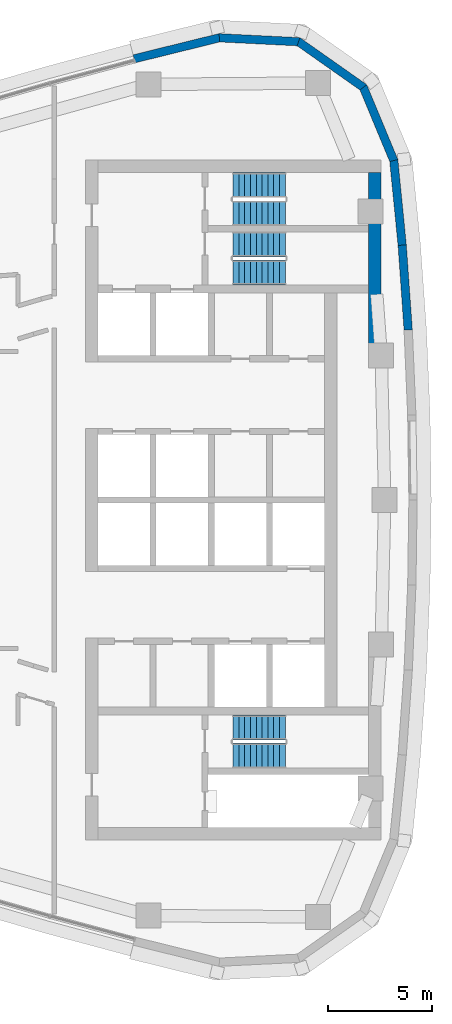
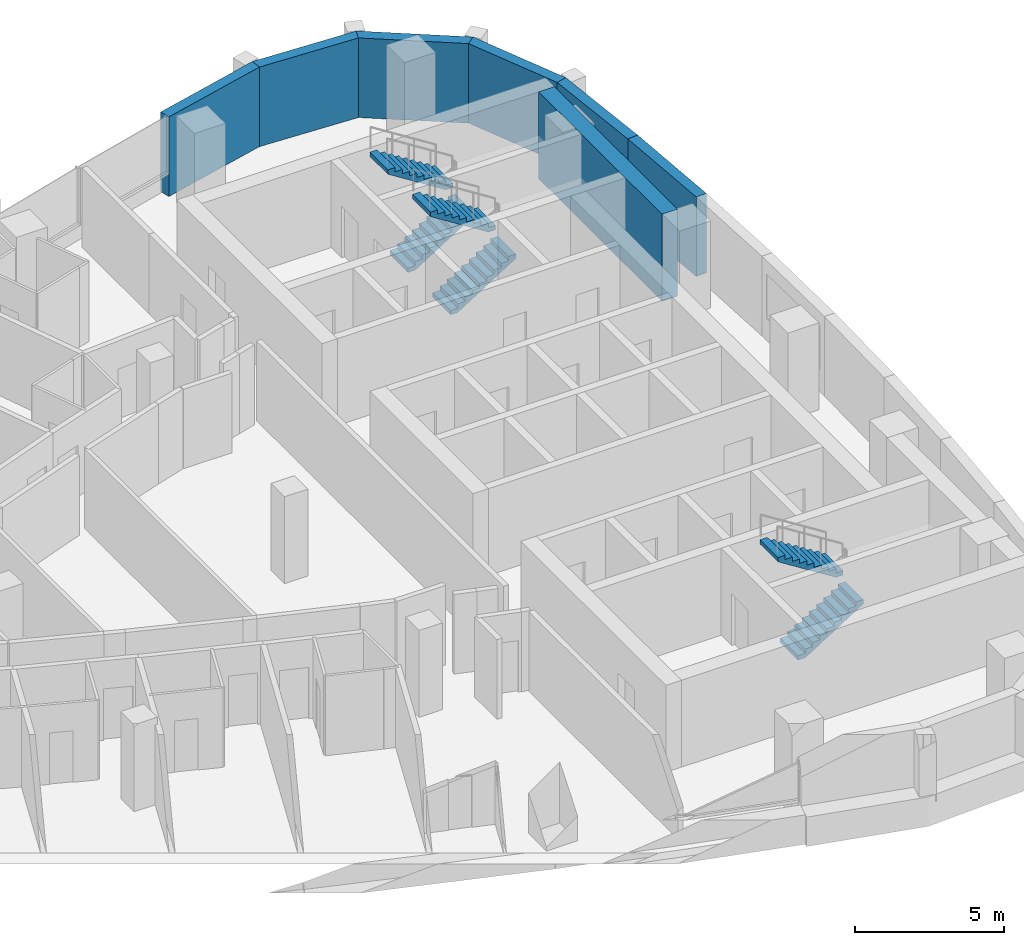
# One storey, part 12 of 16: 7 walls, 6 stair flights, 3 elements without a shape of their own.
"""IFC4 building model written with IfcOpenShell, lengths in metres."""

import ifcopenshell
import ifcopenshell.guid

model = None  # the IFC model being written
_history = None  # IfcOwnerHistory: only IFC2X3 demands one
_inside = {}  # id of a spatial element -> (the spatial element, [elements in it])
_under = {}  # id of a project, library or spatial element -> (it, [spatial elements below it])
_declared = {}  # id of a project -> (the project, [libraries it declares])
_typed = {}  # id of a type object -> (the type object, [elements of that type])
_made_of = {}  # id of a material, layer set ... -> (it, [elements and type objects made of it])


def new_model(schema):
    """Start an empty IFC model of exactly this schema.

    Asked for "IFC4X3", IfcOpenShell would pick the latest addendum, in which some entities
    have other attributes; the version numbers below select the first issue.
    IFC2X3 requires an IfcOwnerHistory on every rooted entity: one is made here for all.
    """
    global model, _history
    if schema == "IFC4X3":
        model = ifcopenshell.file(schema_version=(4, 3, 0, 0))
    else:
        model = ifcopenshell.file(schema=schema)
    _inside.clear()
    _under.clear()
    _declared.clear()
    _typed.clear()
    _made_of.clear()
    _history = None
    if model.schema == "IFC2X3":
        org = make("IfcOrganization", Name="unknown")
        user = make(
            "IfcPersonAndOrganization",
            ThePerson=make("IfcPerson", FamilyName="unknown"),
            TheOrganization=org,
        )
        app = make(
            "IfcApplication",
            ApplicationDeveloper=org,
            Version="unknown",
            ApplicationFullName="unknown",
            ApplicationIdentifier="unknown",
        )
        _history = make(
            "IfcOwnerHistory",
            OwningUser=user,
            OwningApplication=app,
            ChangeAction="ADDED",
            CreationDate=0,
        )
    return model


def make(cls, **values):
    """One entity of the class cls with the attributes given. An attribute that is None is left unset."""
    return model.create_entity(
        cls, **{name: value for name, value in values.items() if value is not None}
    )


def rooted(cls, **values):
    """An entity with a GlobalId (a new one), such as an element, a storey or a relation."""
    return make(cls, GlobalId=ifcopenshell.guid.new(), OwnerHistory=_history, **values)


def si_unit(unit_type, name, prefix=None):
    """IfcSIUnit, for example si_unit("LENGTHUNIT", "METRE", prefix="MILLI")."""
    return make("IfcSIUnit", UnitType=unit_type, Prefix=prefix, Name=name)


def assignment(units):
    """IfcUnitAssignment: the units of a project."""
    return None if units is None else make("IfcUnitAssignment", Units=units)


def point(xyz):
    """IfcCartesianPoint."""
    return None if xyz is None else make("IfcCartesianPoint", Coordinates=xyz)


def direction(xyz):
    """IfcDirection."""
    return None if xyz is None else make("IfcDirection", DirectionRatios=xyz)


def frame(location, z_axis=None, x_axis=None):
    """IfcAxis2Placement3D, a coordinate frame: its origin and axes. An axis left out is left unset."""
    return make(
        "IfcAxis2Placement3D",
        Location=point(location),
        Axis=direction(z_axis),
        RefDirection=direction(x_axis),
    )


def frame_2d(location, x_axis=None):
    """IfcAxis2Placement2D, a coordinate frame in the plane: its origin and x axis."""
    return make(
        "IfcAxis2Placement2D", Location=point(location), RefDirection=direction(x_axis)
    )


def origin():
    """The frame at (0, 0, 0) with its axes left unset."""
    return frame((0.0, 0.0, 0.0))


def place(relative_to, where):
    """IfcLocalPlacement: puts the frame where relative to a parent placement (None: the world)."""
    return make(
        "IfcLocalPlacement", PlacementRelTo=relative_to, RelativePlacement=where
    )


def context(
    kind, dimensions, precision=None, world=None, true_north=None, identifier=None
):
    """IfcGeometricRepresentationContext, for example the 3D "Model" context."""
    return make(
        "IfcGeometricRepresentationContext",
        ContextIdentifier=identifier,
        ContextType=kind,
        CoordinateSpaceDimension=dimensions,
        Precision=precision,
        WorldCoordinateSystem=world,
        TrueNorth=true_north,
    )


def subcontext(parent, identifier, kind, view, scale=None):
    """IfcGeometricRepresentationSubContext, for example "Body" below "Model"."""
    return make(
        "IfcGeometricRepresentationSubContext",
        ContextIdentifier=identifier,
        ContextType=kind,
        ParentContext=parent,
        TargetScale=scale,
        TargetView=view,
    )


def project(units=None, contexts=None):
    """IfcProject with its units and contexts."""
    return rooted(
        "IfcProject",
        Name="project",
        RepresentationContexts=contexts,
        UnitsInContext=assignment(units),
    )


def spatial(cls, under=None, at=None, **own):
    """A site, building, storey or space (cls), placed at a placement, below another one or the project."""
    s = rooted(cls, ObjectPlacement=at, **own)
    if under is not None:
        _under.setdefault(under.id(), (under, []))[1].append(s)
    return s


def polyline(points):
    """IfcPolyline through the points."""
    return make("IfcPolyline", Points=[point(p) for p in points])


def profile(cls, at=None, kind="AREA", **sizes):
    """A parametric profile (cls). Its sizes go by their IFC names, for example OverallWidth=200.0."""
    return make(cls, ProfileType=kind, Position=at, **sizes)


def rectangle(**sizes):
    """IfcRectangleProfileDef."""
    return profile("IfcRectangleProfileDef", **sizes)


def outline(outer, holes=None, kind="AREA"):
    """IfcArbitraryClosedProfileDef: a profile drawn as a closed curve; with holes, ...WithVoids."""
    if holes is None:
        return make("IfcArbitraryClosedProfileDef", ProfileType=kind, OuterCurve=outer)
    return make(
        "IfcArbitraryProfileDefWithVoids",
        ProfileType=kind,
        OuterCurve=outer,
        InnerCurves=holes,
    )


def extrude(swept, where, along, depth):
    """IfcExtrudedAreaSolid: the profile swept, set in the frame where, extruded along a direction by depth."""
    return make(
        "IfcExtrudedAreaSolid",
        SweptArea=swept,
        Position=where,
        ExtrudedDirection=direction(along),
        Depth=depth,
    )


def shape(context_of_items, identifier, shape_type, items):
    """IfcShapeRepresentation: the items that make up one representation, for example the "Body"."""
    return make(
        "IfcShapeRepresentation",
        ContextOfItems=context_of_items,
        RepresentationIdentifier=identifier,
        RepresentationType=shape_type,
        Items=items,
    )


def material(Name=None, Category=None):
    """IfcMaterial."""
    return make("IfcMaterial", Name=Name, Category=Category)


def layer(
    of_material, thickness, ventilated=None, Name=None, Category=None, Priority=None
):
    """IfcMaterialLayer: one layer of a wall or slab, of a material (None: an air gap)."""
    return make(
        "IfcMaterialLayer",
        Material=of_material,
        LayerThickness=thickness,
        IsVentilated=ventilated,
        Name=Name,
        Category=Category,
        Priority=Priority,
    )


def layer_set(layers, Name=None):
    """IfcMaterialLayerSet."""
    return make("IfcMaterialLayerSet", MaterialLayers=layers, LayerSetName=Name)


def made_of(thing, what):
    """Note that an element or type object is made of a material, layer set ...; save() writes the relation."""
    if what is not None:
        _made_of.setdefault(what.id(), (what, []))[1].append(thing)
    return thing


def type_object(cls, material=None, **own):
    """A type object (cls), such as IfcWallType, which elements share."""
    return made_of(rooted(cls, **own), material)


def element(
    cls,
    number,
    at=None,
    inside=None,
    cuts=None,
    type_object=None,
    material=None,
    context=None,
    identifier="Body",
    shape_type=None,
    held_by="IfcProductDefinitionShape",
    body=None,
    shapes=None,
    **own,
):
    """One element of the class cls, such as IfcWall. Its Tag is "e" and its number.

    at: its placement. inside: the storey or other place that contains it. cuts: it is an
    opening in that element (IfcRelVoidsElement). A single representation is given by context,
    identifier, shape_type and body (its items); several are given by shapes. held_by: the class
    of the entity that holds the representations. save() writes the other relations.
    """
    e = rooted(cls, Tag="e%d" % number, ObjectPlacement=at, **own)
    if body is not None:
        shapes = [shape(context, identifier, shape_type, body)]
    if shapes is not None:
        e.Representation = make(held_by, Representations=shapes)
    if inside is not None:
        _inside.setdefault(inside.id(), (inside, []))[1].append(e)
    if cuts is not None:
        rooted(
            "IfcRelVoidsElement", RelatingBuildingElement=cuts, RelatedOpeningElement=e
        )
    if type_object is not None:
        _typed.setdefault(type_object.id(), (type_object, []))[1].append(e)
    return made_of(e, material)


def aggregate(whole, parts):
    """IfcRelAggregates: a whole, such as a stair, and the parts it consists of."""
    return rooted("IfcRelAggregates", RelatingObject=whole, RelatedObjects=parts)


def save(model, path):
    """Write the relations noted so far, then the file.

    IfcRelAggregates (storeys below a building ...), IfcRelContainedInSpatialStructure (elements
    in a storey), IfcRelDefinesByType, IfcRelAssociatesMaterial and IfcRelDeclares: one each for
    every whole, place, type object, material and project.
    """
    for whole, parts in _under.values():
        aggregate(whole, parts)
    for where, things in _inside.values():
        rooted(
            "IfcRelContainedInSpatialStructure",
            RelatedElements=things,
            RelatingStructure=where,
        )
    for kind, things in _typed.values():
        rooted("IfcRelDefinesByType", RelatedObjects=things, RelatingType=kind)
    for what, things in _made_of.values():
        rooted("IfcRelAssociatesMaterial", RelatedObjects=things, RelatingMaterial=what)
    for by, libraries in _declared.values():
        rooted("IfcRelDeclares", RelatingContext=by, RelatedDefinitions=libraries)
    model.write(path)


model = new_model("IFC4")

# Units and contexts
model_context = context("Model", 3, precision=1e-05, world=origin(), true_north=direction((0.0, 1.0)))
body_context = subcontext(model_context, "Body", "Model", "MODEL_VIEW")
ifc_project = project(units=[si_unit("LENGTHUNIT", "METRE"), si_unit("AREAUNIT", "SQUARE_METRE"), si_unit("VOLUMEUNIT", "CUBIC_METRE"), si_unit("PLANEANGLEUNIT", "RADIAN"), si_unit("MASSUNIT", "GRAM", prefix="KILO")], contexts=[model_context])

# Site, building, storey
site_placement = place(None, origin())
site = spatial("IfcSite", under=ifc_project, at=site_placement, CompositionType="ELEMENT")
building_placement = place(site_placement, origin())
building = spatial("IfcBuilding", under=site, at=building_placement, Name="Ostrand Prow Hotel Tower", CompositionType="ELEMENT")
storey_placement = place(building_placement, frame((0.0, 0.0, 224.35009765625)))
storey = spatial("IfcBuildingStorey", under=building, at=storey_placement, Name="L56", CompositionType="ELEMENT", Elevation=224.35009765625)

# Walls
ifc_material_1 = material(Name="Concrete C50/60", Category="concrete")
ifc_layer_1 = layer(ifc_material_1, 0.60009765625)
ifc_layer_set_1 = layer_set([ifc_layer_1], Name="Concrete C50/60")
wall_type_1 = type_object("IfcWallType", Name="Core wall 600 C50/60", PredefinedType="SHEAR", material=ifc_layer_set_1)
wall_1_placement = place(storey_placement, frame((64.02001953125, 7.502197265625, 0.0), z_axis=(0.0, 0.0, 1.0), x_axis=(0.0, 1.0, 0.0)))
element("IfcWall", 1, at=wall_1_placement, inside=storey, type_object=wall_type_1, Name="Core wall CW-E-N", PredefinedType="SHEAR", context=body_context, shape_type="SweptSolid", body=[
    extrude(rectangle(XDim=8.247802734375, YDim=0.60009765625, at=frame_2d((4.1240234375, 0.0))), origin(), (0.0, 0.0, 1.0), 3.5498046875),
])
ifc_material_2 = material(Name="Precast concrete C40/50", Category="concrete")
ifc_layer_2 = layer(ifc_material_2, 0.39990234375)
ifc_layer_set_2 = layer_set([ifc_layer_2], Name="Precast concrete C40/50")
wall_type_2 = type_object("IfcWallType", Name="Stone-faced precast wall 400 mm", PredefinedType="NOTDEFINED", material=ifc_layer_set_2)
wall_2_placement = place(storey_placement, frame((65.630615234375, 8.181640625, 0.0), z_axis=(0.0, 0.0, 1.0), x_axis=(-0.070623905352, 0.997503014528, 0.0)))
element("IfcWall", 2, at=wall_2_placement, inside=storey, type_object=wall_type_2, Name="Stone-faced wall back 11", PredefinedType="NOTDEFINED", context=body_context, shape_type="SweptSolid", body=[
    extrude(outline(polyline([(-0.002685546875, -0.199951171875), (4.095703125, -0.199951171875), (4.09033203125, 0.199951171875), (0.002685546875, 0.199951171875), (-0.002685546875, -0.199951171875)])), origin(), (0.0, 0.0, 1.0), 3.25),
])
wall_3_placement = place(storey_placement, frame((65.341552734375, 12.264404296875, 0.0), z_axis=(0.0, 0.0, 1.0), x_axis=(-0.098718218066, 0.995115427185, 0.0)))
element("IfcWall", 3, at=wall_3_placement, inside=storey, type_object=wall_type_2, Name="Stone-faced wall back 12", PredefinedType="NOTDEFINED", context=body_context, shape_type="SweptSolid", body=[
    extrude(outline(polyline([(-0.002685546875, -0.199951171875), (4.122802734375, -0.199951171875), (4.063232421875, 0.199951171875), (0.002685546875, 0.199951171875), (-0.002685546875, -0.199951171875)])), origin(), (0.0, 0.0, 1.0), 3.25),
])
wall_4_placement = place(storey_placement, frame((64.9375, 16.33740234375, 0.0), z_axis=(0.0, 0.0, 1.0), x_axis=(-0.3844335483, 0.923152667191, 0.0)))
element("IfcWall", 4, at=wall_4_placement, inside=storey, type_object=wall_type_2, Name="Stone-faced wall back 13", PredefinedType="NOTDEFINED", context=body_context, shape_type="SweptSolid", body=[
    extrude(outline(polyline([(-0.02978515625, -0.199951171875), (3.871337890625, -0.199951171875), (3.755615234375, 0.199951171875), (0.02978515625, 0.199951171875), (-0.02978515625, -0.199951171875)])), origin(), (0.0, 0.0, 1.0), 3.25),
])
wall_5_placement = place(storey_placement, frame((63.471435546875, 19.85791015625, 0.0), z_axis=(0.0, 0.0, 1.0), x_axis=(-0.817942545532, 0.575299915009, 0.0)))
element("IfcWall", 5, at=wall_5_placement, inside=storey, type_object=wall_type_2, Name="Stone-faced wall back 14", PredefinedType="NOTDEFINED", context=body_context, shape_type="SweptSolid", body=[
    extrude(outline(polyline([(-0.057861328125, -0.199951171875), (3.871337890625, -0.199951171875), (3.755615234375, 0.199951171875), (0.057861328125, 0.199951171875), (-0.057861328125, -0.199951171875)])), origin(), (0.0, 0.0, 1.0), 3.25),
])
wall_6_placement = place(storey_placement, frame((60.352294921875, 22.0517578125, 0.0), z_axis=(0.0, 0.0, 1.0), x_axis=(-0.998758875872, 0.049806705046, 0.0)))
element("IfcWall", 6, at=wall_6_placement, inside=storey, type_object=wall_type_2, Name="Stone-faced wall back 15", PredefinedType="NOTDEFINED", context=body_context, shape_type="SweptSolid", body=[
    extrude(outline(polyline([(-0.057861328125, -0.199951171875), (3.8427734375, -0.199951171875), (3.7841796875, 0.199951171875), (0.057861328125, 0.199951171875), (-0.057861328125, -0.199951171875)])), origin(), (0.0, 0.0, 1.0), 3.25),
])
wall_7_placement = place(storey_placement, frame((56.54345703125, 22.24169921875, 0.0), z_axis=(0.0, 0.0, 1.0), x_axis=(-0.970902342456, -0.23947576373, 0.0)))
element("IfcWall", 7, at=wall_7_placement, inside=storey, type_object=wall_type_2, Name="Stone-faced wall back 16", PredefinedType="NOTDEFINED", context=body_context, shape_type="SweptSolid", body=[
    extrude(outline(polyline([(-0.029296875, -0.199951171875), (4.225830078125, -0.199951171875), (4.225830078125, 0.199951171875), (0.029296875, 0.199951171875), (-0.029296875, -0.199951171875)])), origin(), (0.0, 0.0, 1.0), 3.25),
])

# Stair, stair flights
ifc_material_3 = material(Name="Concrete C40/50", Category="concrete")
stair_type = type_object("IfcStairType", Name="Exit stair 1200 upper zone", PredefinedType="HALF_TURN_STAIR", material=ifc_material_3)
stair_1_placement = place(storey_placement, origin())
stair_1 = element("IfcStair", 8, at=stair_1_placement, inside=storey, type_object=stair_type, Name="L56 ST1C", PredefinedType="HALF_TURN_STAIR")
ifc_material_4 = material(Name="Concrete C40/50", Category="concrete")
stair_flight_type = type_object("IfcStairFlightType", Name="Stair flight 1200 concrete", PredefinedType="STRAIGHT", material=ifc_material_4)
stair_flight_1_placement = place(storey_placement, frame((57.199951171875, 10.949951171875, 0.0), z_axis=(0.0, 0.0, 1.0), x_axis=(1.0, 0.0, 0.0)))
stair_flight_1 = element("IfcStairFlight", 9, at=stair_flight_1_placement, type_object=stair_flight_type, Name="ST1C flight 1", NumberOfRisers=10, NumberOfTreads=9, PredefinedType="STRAIGHT", RiserHeight=0.1775, TreadLength=0.28, context=body_context, shape_type="SweptSolid", body=[
    extrude(outline(polyline([(0.0, 0.0), (0.0, 0.177490234375), (0.280029296875, 0.177490234375), (0.280029296875, 0.35498046875), (0.56005859375, 0.35498046875), (0.56005859375, 0.532470703125), (0.840087890625, 0.532470703125), (0.840087890625, 0.7099609375), (1.1201171875, 0.7099609375), (1.1201171875, 0.887451171875), (1.39990234375, 0.887451171875), (1.39990234375, 1.06494140625), (1.679931640625, 1.06494140625), (1.679931640625, 1.242431640625), (1.9599609375, 1.242431640625), (1.9599609375, 1.419921875), (2.239990234375, 1.419921875), (2.239990234375, 1.597412109375), (2.52001953125, 1.597412109375), (2.52001953125, 1.77490234375), (2.52001953125, 1.419921875), (0.280029296875, 0.0), (0.0, 0.0)])), frame((0.0, 0.60009765625, 0.0), z_axis=(0.0, -1.0, 0.0), x_axis=(1.0, 0.0, 0.0)), (0.0, 0.0, 1.0), 1.199951171875),
])
stair_flight_2_placement = place(storey_placement, frame((59.719970703125, 12.300048828125, 1.77490234375), z_axis=(0.0, 0.0, 1.0), x_axis=(-1.0, 0.0, 0.0)))
stair_flight_2 = element("IfcStairFlight", 10, at=stair_flight_2_placement, type_object=stair_flight_type, Name="ST1C flight 2", NumberOfRisers=10, NumberOfTreads=9, PredefinedType="STRAIGHT", RiserHeight=0.1775, TreadLength=0.28, context=body_context, shape_type="SweptSolid", body=[
    extrude(outline(polyline([(0.0, 0.0), (0.0, 0.177490234375), (0.280029296875, 0.177490234375), (0.280029296875, 0.35498046875), (0.56005859375, 0.35498046875), (0.56005859375, 0.532470703125), (0.840087890625, 0.532470703125), (0.840087890625, 0.7099609375), (1.1201171875, 0.7099609375), (1.1201171875, 0.887451171875), (1.39990234375, 0.887451171875), (1.39990234375, 1.06494140625), (1.679931640625, 1.06494140625), (1.679931640625, 1.242431640625), (1.9599609375, 1.242431640625), (1.9599609375, 1.419921875), (2.239990234375, 1.419921875), (2.239990234375, 1.597412109375), (2.52001953125, 1.597412109375), (2.52001953125, 1.77490234375), (2.52001953125, 1.419921875), (0.280029296875, 0.0), (0.0, 0.0)])), frame((0.0, 0.60009765625, 0.0), z_axis=(0.0, -1.0, 0.0), x_axis=(1.0, 0.0, 0.0)), (0.0, 0.0, 1.0), 1.199951171875),
])
aggregate(stair_1, [stair_flight_1, stair_flight_2])

stair_2_placement = place(storey_placement, origin())
stair_2 = element("IfcStair", 11, at=stair_2_placement, inside=storey, type_object=stair_type, Name="L56 ST3C", PredefinedType="HALF_TURN_STAIR")
stair_flight_3_placement = place(storey_placement, frame((57.199951171875, 13.800048828125, 0.0), z_axis=(0.0, 0.0, 1.0), x_axis=(1.0, 0.0, 0.0)))
stair_flight_3 = element("IfcStairFlight", 12, at=stair_flight_3_placement, type_object=stair_flight_type, Name="ST3C flight 1", NumberOfRisers=10, NumberOfTreads=9, PredefinedType="STRAIGHT", RiserHeight=0.1775, TreadLength=0.28, context=body_context, shape_type="SweptSolid", body=[
    extrude(outline(polyline([(0.0, 0.0), (0.0, 0.177490234375), (0.280029296875, 0.177490234375), (0.280029296875, 0.35498046875), (0.56005859375, 0.35498046875), (0.56005859375, 0.532470703125), (0.840087890625, 0.532470703125), (0.840087890625, 0.7099609375), (1.1201171875, 0.7099609375), (1.1201171875, 0.887451171875), (1.39990234375, 0.887451171875), (1.39990234375, 1.06494140625), (1.679931640625, 1.06494140625), (1.679931640625, 1.242431640625), (1.9599609375, 1.242431640625), (1.9599609375, 1.419921875), (2.239990234375, 1.419921875), (2.239990234375, 1.597412109375), (2.52001953125, 1.597412109375), (2.52001953125, 1.77490234375), (2.52001953125, 1.419921875), (0.280029296875, 0.0), (0.0, 0.0)])), frame((0.0, 0.60009765625, 0.0), z_axis=(0.0, -1.0, 0.0), x_axis=(1.0, 0.0, 0.0)), (0.0, 0.0, 1.0), 1.199951171875),
])
stair_flight_4_placement = place(storey_placement, frame((59.719970703125, 15.14990234375, 1.77490234375), z_axis=(0.0, 0.0, 1.0), x_axis=(-1.0, 0.0, 0.0)))
stair_flight_4 = element("IfcStairFlight", 13, at=stair_flight_4_placement, type_object=stair_flight_type, Name="ST3C flight 2", NumberOfRisers=10, NumberOfTreads=9, PredefinedType="STRAIGHT", RiserHeight=0.1775, TreadLength=0.28, context=body_context, shape_type="SweptSolid", body=[
    extrude(outline(polyline([(0.0, 0.0), (0.0, 0.177490234375), (0.280029296875, 0.177490234375), (0.280029296875, 0.35498046875), (0.56005859375, 0.35498046875), (0.56005859375, 0.532470703125), (0.840087890625, 0.532470703125), (0.840087890625, 0.7099609375), (1.1201171875, 0.7099609375), (1.1201171875, 0.887451171875), (1.39990234375, 0.887451171875), (1.39990234375, 1.06494140625), (1.679931640625, 1.06494140625), (1.679931640625, 1.242431640625), (1.9599609375, 1.242431640625), (1.9599609375, 1.419921875), (2.239990234375, 1.419921875), (2.239990234375, 1.597412109375), (2.52001953125, 1.597412109375), (2.52001953125, 1.77490234375), (2.52001953125, 1.419921875), (0.280029296875, 0.0), (0.0, 0.0)])), frame((0.0, 0.60009765625, 0.0), z_axis=(0.0, -1.0, 0.0), x_axis=(1.0, 0.0, 0.0)), (0.0, 0.0, 1.0), 1.199951171875),
])
aggregate(stair_2, [stair_flight_3, stair_flight_4])

stair_3_placement = place(storey_placement, origin())
stair_3 = element("IfcStair", 14, at=stair_3_placement, inside=storey, type_object=stair_type, Name="L56 ST2C", PredefinedType="HALF_TURN_STAIR")
stair_flight_5_placement = place(storey_placement, frame((57.199951171875, -12.300048828125, 0.0), z_axis=(0.0, 0.0, 1.0), x_axis=(1.0, 0.0, 0.0)))
stair_flight_5 = element("IfcStairFlight", 15, at=stair_flight_5_placement, type_object=stair_flight_type, Name="ST2C flight 1", NumberOfRisers=10, NumberOfTreads=9, PredefinedType="STRAIGHT", RiserHeight=0.1775, TreadLength=0.28, context=body_context, shape_type="SweptSolid", body=[
    extrude(outline(polyline([(0.0, 0.0), (0.0, 0.177490234375), (0.280029296875, 0.177490234375), (0.280029296875, 0.35498046875), (0.56005859375, 0.35498046875), (0.56005859375, 0.532470703125), (0.840087890625, 0.532470703125), (0.840087890625, 0.7099609375), (1.1201171875, 0.7099609375), (1.1201171875, 0.887451171875), (1.39990234375, 0.887451171875), (1.39990234375, 1.06494140625), (1.679931640625, 1.06494140625), (1.679931640625, 1.242431640625), (1.9599609375, 1.242431640625), (1.9599609375, 1.419921875), (2.239990234375, 1.419921875), (2.239990234375, 1.597412109375), (2.52001953125, 1.597412109375), (2.52001953125, 1.77490234375), (2.52001953125, 1.419921875), (0.280029296875, 0.0), (0.0, 0.0)])), frame((0.0, 0.60009765625, 0.0), z_axis=(0.0, -1.0, 0.0), x_axis=(1.0, 0.0, 0.0)), (0.0, 0.0, 1.0), 1.199951171875),
])
stair_flight_6_placement = place(storey_placement, frame((59.719970703125, -10.949951171875, 1.77490234375), z_axis=(0.0, 0.0, 1.0), x_axis=(-1.0, 0.0, 0.0)))
stair_flight_6 = element("IfcStairFlight", 16, at=stair_flight_6_placement, type_object=stair_flight_type, Name="ST2C flight 2", NumberOfRisers=10, NumberOfTreads=9, PredefinedType="STRAIGHT", RiserHeight=0.1775, TreadLength=0.28, context=body_context, shape_type="SweptSolid", body=[
    extrude(outline(polyline([(0.0, 0.0), (0.0, 0.177490234375), (0.280029296875, 0.177490234375), (0.280029296875, 0.35498046875), (0.56005859375, 0.35498046875), (0.56005859375, 0.532470703125), (0.840087890625, 0.532470703125), (0.840087890625, 0.7099609375), (1.1201171875, 0.7099609375), (1.1201171875, 0.887451171875), (1.39990234375, 0.887451171875), (1.39990234375, 1.06494140625), (1.679931640625, 1.06494140625), (1.679931640625, 1.242431640625), (1.9599609375, 1.242431640625), (1.9599609375, 1.419921875), (2.239990234375, 1.419921875), (2.239990234375, 1.597412109375), (2.52001953125, 1.597412109375), (2.52001953125, 1.77490234375), (2.52001953125, 1.419921875), (0.280029296875, 0.0), (0.0, 0.0)])), frame((0.0, 0.60009765625, 0.0), z_axis=(0.0, -1.0, 0.0), x_axis=(1.0, 0.0, 0.0)), (0.0, 0.0, 1.0), 1.199951171875),
])
aggregate(stair_3, [stair_flight_5, stair_flight_6])

save(model, "model.ifc")
